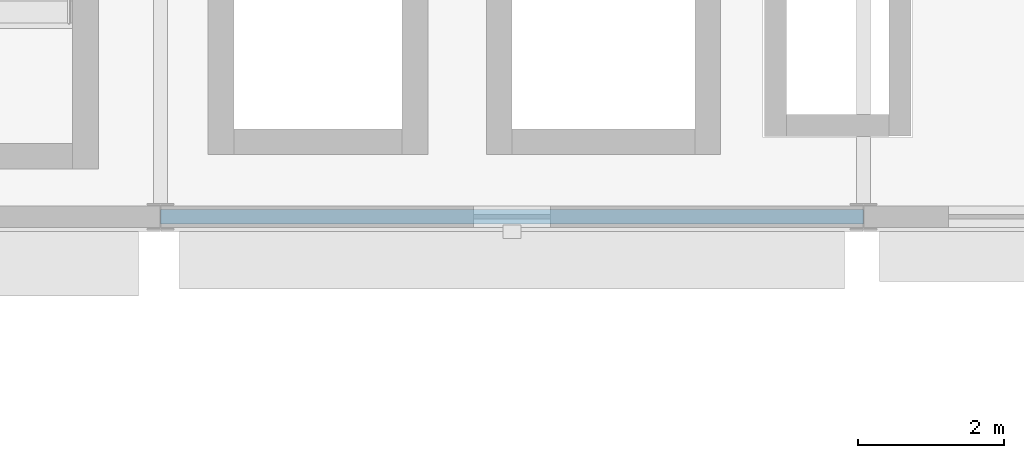
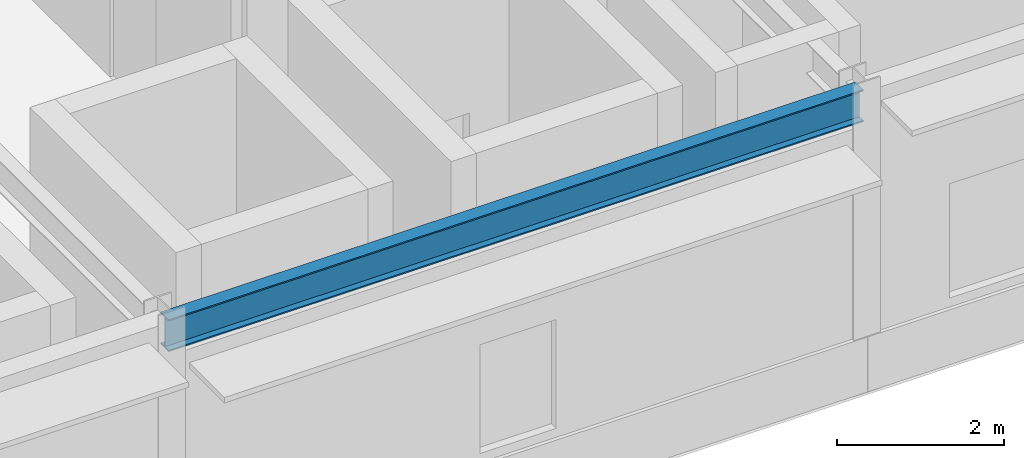
# One storey, part 30 of 116: 1 beam.
"""IFC4 building model written with IfcOpenShell, lengths in metres."""

from ifc_helpers import new_model, si_unit, direction, frame, origin, origin_2d, place, context, subcontext, project, spatial, i_section, extrude, material, material_profile, profile_set, type_object, element, save


model = new_model("IFC4")

# Units and contexts
model_context = context("Model", 3, precision=1e-05, world=origin(), true_north=direction((0.0, 1.0)))
body_context = subcontext(model_context, "Body", "Model", "MODEL_VIEW")
ifc_project = project(units=[si_unit("LENGTHUNIT", "METRE"), si_unit("AREAUNIT", "SQUARE_METRE"), si_unit("VOLUMEUNIT", "CUBIC_METRE"), si_unit("PLANEANGLEUNIT", "RADIAN"), si_unit("MASSUNIT", "GRAM", prefix="KILO")], contexts=[model_context])

# Site, building, storey
site_placement = place(None, origin())
site = spatial("IfcSite", under=ifc_project, at=site_placement, CompositionType="ELEMENT")
building_placement = place(site_placement, origin())
building = spatial("IfcBuilding", under=site, at=building_placement, Name="Almandine Court Research Institute", CompositionType="ELEMENT")
storey_placement = place(building_placement, frame((0.0, 0.0, 14.35009765625)))
storey = spatial("IfcBuildingStorey", under=building, at=storey_placement, Name="L03", CompositionType="ELEMENT", Elevation=14.35009765625)

# Beam
ifc_material = material(Name="Steel ASTM A992 Grade 50", Category="steel")
ifc_material_profile = material_profile(ifc_material, i_section(OverallWidth=0.193115234375, OverallDepth=0.466064453125, WebThickness=0.010986328125, FlangeThickness=0.01904296875, at=origin_2d()), Name="W460x97")
ifc_profile_set = profile_set([ifc_material_profile], Name="Steel ASTM A992 Grade 50")
beam_type = type_object("IfcBeamType", Name="Beam-G-06-E", PredefinedType="SPANDREL", material=ifc_profile_set)
beam_placement = place(storey_placement, frame((15.60009765625, 84.0, 4.136962890625), z_axis=(1.0, 0.0, 0.0), x_axis=(0.0, 1.0, 0.0)))
element("IfcBeam", 1, at=beam_placement, inside=storey, type_object=beam_type, Name="L03 V3 Primary X Girder", PredefinedType="SPANDREL", context=body_context, shape_type="SweptSolid", body=[
    extrude(i_section(OverallWidth=0.193115234375, OverallDepth=0.466064453125, WebThickness=0.010986328125, FlangeThickness=0.01904296875, at=origin_2d()), origin(), (0.0, 0.0, 1.0), 9.599853515625),
])

save(model, "model.ifc")
